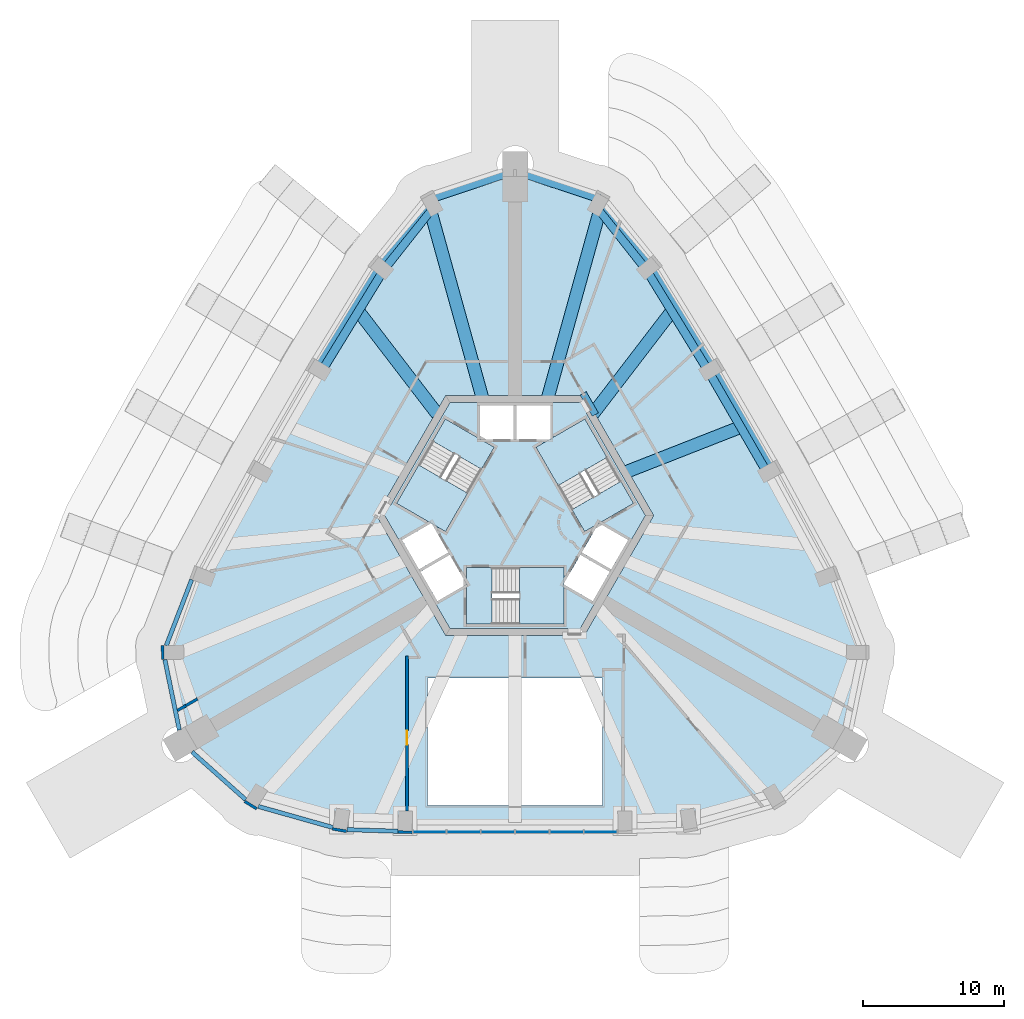
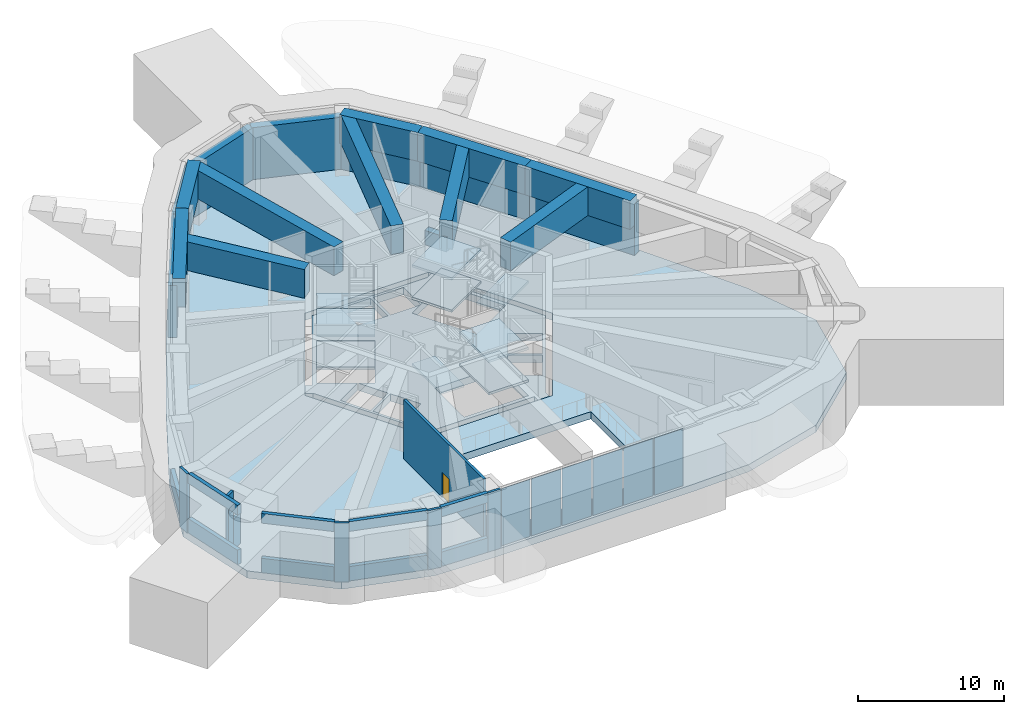
# One storey, part 3 of 15: 16 walls, 11 beams, 11 slabs, 7 members, 6 plates, 1 door, 1 opening, 4 elements without a shape of their own.
"""IFC4 building model written with IfcOpenShell, lengths in metres."""

from ifc_helpers import new_model, si_unit, direction, frame, frame_2d, origin, origin_2d, place, context, subcontext, project, spatial, polyline, rectangle, outline, extrude, material, layer, layer_set, material_profile, profile_set, type_object, element, fill, aggregate, save


model = new_model("IFC4")

# Units and contexts
model_context = context("Model", 3, precision=1e-05, world=origin(), true_north=direction((0.0, 1.0)))
body_context = subcontext(model_context, "Body", "Model", "MODEL_VIEW")
ifc_project = project(units=[si_unit("LENGTHUNIT", "METRE"), si_unit("AREAUNIT", "SQUARE_METRE"), si_unit("VOLUMEUNIT", "CUBIC_METRE"), si_unit("PLANEANGLEUNIT", "RADIAN"), si_unit("MASSUNIT", "GRAM", prefix="KILO")], contexts=[model_context])

# Site, building, storey
site_placement = place(None, origin())
site = spatial("IfcSite", under=ifc_project, at=site_placement, CompositionType="ELEMENT")
building_placement = place(site_placement, origin())
building = spatial("IfcBuilding", under=site, at=building_placement, Name="Entoto Arch Interchange Tower", CompositionType="ELEMENT")
storey_placement = place(building_placement, frame((0.0, 0.0, 326.0)))
storey = spatial("IfcBuildingStorey", under=building, at=storey_placement, Name="L77", CompositionType="ELEMENT", Elevation=326.0)

# Members
ifc_material_1 = material(Name="Concrete C40/50", Category="concrete")
ifc_material_profile_1 = material_profile(ifc_material_1, rectangle(XDim=0.60009765625, YDim=4.35009765625, at=origin_2d()))
ifc_profile_set_1 = profile_set([ifc_material_profile_1], Name="Concrete C40/50")
member_type = type_object("IfcMemberType", Name="Belt member RC 600x4350 C40/50", PredefinedType="USERDEFINED", material=ifc_profile_set_1)
member_1_placement = place(storey_placement, frame((18.39208984375, 5.799072265625, 2.175048828125), z_axis=(-0.500036379844, 0.866004398853, 0.0), x_axis=(-0.866004398853, -0.500036379844, 0.0)))
element("IfcMember", 1, at=member_1_placement, inside=storey, type_object=member_type, Name="Belt beam 09 L77", ObjectType="BELT BEAM", PredefinedType="USERDEFINED", context=body_context, shape_type="SweptSolid", body=[
    extrude(rectangle(XDim=0.60009765625, YDim=4.35009765625, at=origin_2d()), origin(), (0.0, 0.0, 1.0), 8.34765625),
])
member_2_placement = place(storey_placement, frame((14.218017578125, 13.028076171875, 2.175048828125), z_axis=(-0.522842119471, 0.8524295385, 0.0), x_axis=(-0.8524295385, -0.522842119471, 0.0)))
element("IfcMember", 2, at=member_2_placement, inside=storey, type_object=member_type, Name="Belt beam 10 L77", ObjectType="BELT BEAM", PredefinedType="USERDEFINED", context=body_context, shape_type="SweptSolid", body=[
    extrude(rectangle(XDim=0.60009765625, YDim=4.35009765625, at=origin_2d()), origin(), (0.0, 0.0, 1.0), 8.543701171875),
])
member_3_placement = place(storey_placement, frame((9.7509765625, 20.31103515625, 2.175048828125), z_axis=(-0.628207001086, 0.778046247845, 0.0), x_axis=(-0.778046247845, -0.628207001086, 0.0)))
element("IfcMember", 3, at=member_3_placement, inside=storey, type_object=member_type, Name="Belt beam 11 L77", ObjectType="BELT BEAM", PredefinedType="USERDEFINED", context=body_context, shape_type="SweptSolid", body=[
    extrude(rectangle(XDim=0.60009765625, YDim=4.35009765625, at=origin_2d()), origin(), (0.0, 0.0, 1.0), 5.940673828125),
])
for number, where, z_axis, x_axis, name in (
    (4, (6.01904296875, 24.93310546875, 2.175048828125), (-0.948983108489, 0.315326909416, 0.0), (-0.315326909416, -0.948983108489, 0.0), "Belt beam 12 L77"),
    (5, (0.0, 26.93310546875, 2.175048828125), (-0.948983108489, -0.315326909416, 0.0), (0.315326909416, -0.948983108489, 0.0), "Belt beam 13 L77"),
):
    element("IfcMember", number, at=place(storey_placement, frame(where, z_axis=z_axis, x_axis=x_axis)), inside=storey, type_object=member_type, Name=name, ObjectType="BELT BEAM", PredefinedType="USERDEFINED", context=body_context, shape_type="SweptSolid", body=[
        extrude(rectangle(XDim=0.60009765625, YDim=4.35009765625, at=origin_2d()), origin(), (0.0, 0.0, 1.0), 6.342529296875),
    ])
member_4_placement = place(storey_placement, frame((-6.01904296875, 24.93310546875, 2.175048828125), z_axis=(-0.628207001086, -0.778046247845, 0.0), x_axis=(0.778046247845, -0.628207001086, 0.0)))
element("IfcMember", 6, at=member_4_placement, inside=storey, type_object=member_type, Name="Belt beam 14 L77", ObjectType="BELT BEAM", PredefinedType="USERDEFINED", context=body_context, shape_type="SweptSolid", body=[
    extrude(rectangle(XDim=0.60009765625, YDim=4.35009765625, at=origin_2d()), origin(), (0.0, 0.0, 1.0), 5.940673828125),
])
member_5_placement = place(storey_placement, frame((-9.7509765625, 20.31103515625, 2.175048828125), z_axis=(-0.522842119471, -0.8524295385, 0.0), x_axis=(0.8524295385, -0.522842119471, 0.0)))
element("IfcMember", 7, at=member_5_placement, inside=storey, type_object=member_type, Name="Belt beam 15 L77", ObjectType="BELT BEAM", PredefinedType="USERDEFINED", context=body_context, shape_type="SweptSolid", body=[
    extrude(rectangle(XDim=0.60009765625, YDim=4.35009765625, at=origin_2d()), origin(), (0.0, 0.0, 1.0), 8.543701171875),
])

# Beams
ifc_material_profile_2 = material_profile(ifc_material_1, rectangle(XDim=0.5, YDim=1.199951171875, at=origin_2d()))
ifc_profile_set_2 = profile_set([ifc_material_profile_2], Name="Concrete C40/50")
beam_type_1 = type_object("IfcBeamType", Name="Coupling beam RC 500x1200 C40/50", PredefinedType="BEAM", material=ifc_profile_set_2)
beam_1_placement = place(storey_placement, frame((5.68603515625, 9.65087890625, 3.0), z_axis=(-0.500105721196, 0.865964357019, 0.0), x_axis=(-0.865964357019, -0.500105721196, 0.0)))
element("IfcBeam", 8, at=beam_1_placement, inside=storey, type_object=beam_type_1, Name="Coupling beam NE L77", PredefinedType="BEAM", context=body_context, shape_type="SweptSolid", body=[
    extrude(rectangle(XDim=0.5, YDim=1.199951171875, at=origin_2d()), origin(), (0.0, 0.0, 1.0), 1.727783203125),
])
ifc_material_profile_3 = material_profile(ifc_material_1, rectangle(XDim=0.89990234375, YDim=2.39990234375, at=origin_2d()))
ifc_profile_set_3 = profile_set([ifc_material_profile_3], Name="Concrete C40/50")
beam_type_2 = type_object("IfcBeamType", Name="Transfer beam RC 900x2400 C40/50", PredefinedType="BEAM", material=ifc_profile_set_3)
beam_2_placement = place(storey_placement, frame((7.863037109375, 5.5849609375, 3.75), z_axis=(0.930937686272, 0.365178072013, 0.0), x_axis=(-0.365178072013, 0.930937686272, 0.0)))
element("IfcBeam", 9, at=beam_2_placement, inside=storey, type_object=beam_type_2, Name="Transfer beam NE03 L77", PredefinedType="BEAM", context=body_context, shape_type="SweptSolid", body=[
    extrude(rectangle(XDim=0.89990234375, YDim=2.39990234375, at=origin_2d()), origin(), (0.0, 0.0, 1.0), 8.56884765625),
])
beam_3_placement = place(storey_placement, frame((17.992919921875, 5.5791015625, 3.75), z_axis=(-0.500009985057, 0.866019638832, 0.0), x_axis=(-0.866019638832, -0.500009985057, 0.0)))
element("IfcBeam", 10, at=beam_3_placement, inside=storey, type_object=beam_type_2, Name="Transfer girder NE03 L77", PredefinedType="BEAM", context=body_context, shape_type="SweptSolid", body=[
    extrude(rectangle(XDim=0.89990234375, YDim=2.39990234375, at=origin_2d()), origin(), (0.0, 0.0, 1.0), 8.329833984375),
])
beam_4_placement = place(storey_placement, frame((5.507080078125, 9.68408203125, 3.75), z_axis=(0.608418509946, 0.793616353634, 0.0), x_axis=(-0.793616353634, 0.608418509946, 0.0)))
element("IfcBeam", 11, at=beam_4_placement, inside=storey, type_object=beam_type_2, Name="Transfer beam NE04 L77", PredefinedType="BEAM", context=body_context, shape_type="SweptSolid", body=[
    extrude(rectangle(XDim=0.89990234375, YDim=2.39990234375, at=origin_2d()), origin(), (0.0, 0.0, 1.0), 9.044677734375),
])
beam_5_placement = place(storey_placement, frame((13.827880859375, 12.79296875, 3.75), z_axis=(-0.521971462852, 0.852962948766, 0.0), x_axis=(-0.852962948766, -0.521971462852, 0.0)))
element("IfcBeam", 12, at=beam_5_placement, inside=storey, type_object=beam_type_2, Name="Transfer girder NE04 L77", PredefinedType="BEAM", context=body_context, shape_type="SweptSolid", body=[
    extrude(rectangle(XDim=0.89990234375, YDim=2.39990234375, at=origin_2d()), origin(), (0.0, 0.0, 1.0), 8.44482421875),
])
beam_6_placement = place(storey_placement, frame((2.321044921875, 10.85498046875, 3.75), z_axis=(0.267605981457, 0.963528431697, 0.0), x_axis=(-0.963528431697, 0.267605981457, 0.0)))
element("IfcBeam", 13, at=beam_6_placement, inside=storey, type_object=beam_type_2, Name="Transfer beam NE05 L77", PredefinedType="BEAM", context=body_context, shape_type="SweptSolid", body=[
    extrude(rectangle(XDim=0.89990234375, YDim=2.39990234375, at=origin_2d()), origin(), (0.0, 0.0, 1.0), 13.628173828125),
])
beam_7_placement = place(storey_placement, frame((9.419921875, 19.99609375, 3.75), z_axis=(-0.618924486717, 0.785450494775, 0.0), x_axis=(-0.785450494775, -0.618924486717, 0.0)))
element("IfcBeam", 14, at=beam_7_placement, inside=storey, type_object=beam_type_2, Name="Transfer girder NE05 L77", PredefinedType="BEAM", context=body_context, shape_type="SweptSolid", body=[
    extrude(rectangle(XDim=0.89990234375, YDim=2.39990234375, at=origin_2d()), origin(), (0.0, 0.0, 1.0), 5.7646484375),
])
beam_8_placement = place(storey_placement, frame((-2.321044921875, 10.85498046875, 3.75), z_axis=(-0.267605981457, 0.963528431697, 0.0), x_axis=(-0.963528431697, -0.267605981457, 0.0)))
element("IfcBeam", 15, at=beam_8_placement, inside=storey, type_object=beam_type_2, Name="Transfer beam NW01 L77", PredefinedType="BEAM", context=body_context, shape_type="SweptSolid", body=[
    extrude(rectangle(XDim=0.89990234375, YDim=2.39990234375, at=origin_2d()), origin(), (0.0, 0.0, 1.0), 13.628173828125),
])
beam_9_placement = place(storey_placement, frame((-5.85205078125, 24.52392578125, 3.75), z_axis=(-0.618924486717, -0.785450494775, 0.0), x_axis=(0.785450494775, -0.618924486717, 0.0)))
element("IfcBeam", 16, at=beam_9_placement, inside=storey, type_object=beam_type_2, Name="Transfer girder NW01 L77", PredefinedType="BEAM", context=body_context, shape_type="SweptSolid", body=[
    extrude(rectangle(XDim=0.89990234375, YDim=2.39990234375, at=origin_2d()), origin(), (0.0, 0.0, 1.0), 5.7646484375),
])
beam_10_placement = place(storey_placement, frame((-5.507080078125, 9.68408203125, 3.75), z_axis=(-0.608418509946, 0.793616353634, 0.0), x_axis=(-0.793616353634, -0.608418509946, 0.0)))
element("IfcBeam", 17, at=beam_10_placement, inside=storey, type_object=beam_type_2, Name="Transfer beam NW02 L77", PredefinedType="BEAM", context=body_context, shape_type="SweptSolid", body=[
    extrude(rectangle(XDim=0.89990234375, YDim=2.39990234375, at=origin_2d()), origin(), (0.0, 0.0, 1.0), 9.044677734375),
])
beam_11_placement = place(storey_placement, frame((-9.419921875, 19.99609375, 3.75), z_axis=(-0.521971462852, -0.852962948766, 0.0), x_axis=(0.852962948766, -0.521971462852, 0.0)))
element("IfcBeam", 18, at=beam_11_placement, inside=storey, type_object=beam_type_2, Name="Transfer girder NW02 L77", PredefinedType="BEAM", context=body_context, shape_type="SweptSolid", body=[
    extrude(rectangle(XDim=0.89990234375, YDim=2.39990234375, at=origin_2d()), origin(), (0.0, 0.0, 1.0), 8.44482421875),
])

# Slab
ifc_layer_1 = layer(ifc_material_1, 0.60009765625)
ifc_layer_set_1 = layer_set([ifc_layer_1], Name="Concrete C40/50")
slab_type_1 = type_object("IfcSlabType", Name="Core floor slab 600 C40/50", PredefinedType="FLOOR", material=ifc_layer_set_1)
slab_1_placement = place(storey_placement, frame((0.0, 0.0, -0.60009765625)))
element("IfcSlab", 19, at=slab_1_placement, inside=storey, type_object=slab_type_1, Name="Core floor slab L77", PredefinedType="FLOOR", context=body_context, shape_type="SweptSolid", body=[
    extrude(outline(polyline([(-9.208984375, 2.449951171875), (-9.222900390625, 2.425048828125), (-9.699951171875, 2.699951171875), (-9.236083984375, 3.501953125), (-8.802978515625, 3.2529296875), (-4.618896484375, 10.5), (4.56103515625, 10.5), (4.5458984375, 10.52490234375), (5.02197265625, 10.800048828125), (5.486083984375, 9.998046875), (5.052978515625, 9.748046875), (9.238037109375, 2.5), (4.64794921875, -5.449951171875), (4.676025390625, -5.449951171875), (4.676025390625, -6.0), (3.75, -6.0), (3.75, -5.5), (-4.618896484375, -5.5), (-9.208984375, 2.449951171875)]), holes=[polyline([(-1.64990234375, -5.199951171875), (3.449951171875, -5.199951171875), (3.449951171875, -2.3779296875), (5.5048828125, -3.56494140625), (6.705078125, -1.487060546875), (4.626953125, -0.287109375), (3.449951171875, -2.324951171875), (3.449951171875, -1.199951171875), (-1.64990234375, -1.199951171875), (-1.64990234375, -5.199951171875)]), polyline([(-4.626953125, -0.287109375), (-6.705078125, -1.487060546875), (-5.5048828125, -3.56494140625), (-3.427001953125, -2.364990234375), (-4.626953125, -0.287109375)]), polyline([(-5.904052734375, 1.925048828125), (-4.928955078125, 1.362060546875), (-2.37890625, 5.779052734375), (-5.843017578125, 7.779052734375), (-8.39306640625, 3.362060546875), (-5.949951171875, 1.951904296875), (-8.0048828125, 0.764892578125), (-6.804931640625, -1.31298828125), (-4.72705078125, -0.113037109375), (-5.904052734375, 1.925048828125)]), polyline([(4.72705078125, -0.113037109375), (6.804931640625, -1.31298828125), (8.0048828125, 0.764892578125), (5.927001953125, 1.965087890625), (4.72705078125, -0.113037109375)]), polyline([(2.5, 7.927001953125), (2.5, 10.300048828125), (0.10009765625, 10.300048828125), (0.10009765625, 7.89990234375), (2.452880859375, 7.89990234375), (1.47900390625, 7.337890625), (4.029052734375, 2.9208984375), (7.492919921875, 4.9208984375), (4.943115234375, 9.337890625), (2.5, 7.927001953125)]), polyline([(-2.5, 7.89990234375), (-0.10009765625, 7.89990234375), (-0.10009765625, 10.300048828125), (-2.5, 10.300048828125), (-2.5, 7.89990234375)])]), origin(), (0.0, 0.0, 1.0), 0.60009765625),
])

# Stair, slabs
stair_type = type_object("IfcStairType", Name="EXIT STAIR RC 1800", PredefinedType="HALF_TURN_STAIR", material=ifc_material_1)
stair_1_placement = place(storey_placement, origin())
stair_1 = element("IfcStair", 20, at=stair_1_placement, inside=storey, type_object=stair_type, Name="L77 Exit stair S", PredefinedType="HALF_TURN_STAIR")
ifc_layer_2 = layer(ifc_material_1, 0.199951171875)
ifc_layer_set_2 = layer_set([ifc_layer_2], Name="Concrete C40/50")
slab_type_2 = type_object("IfcSlabType", Name="EXIT STAIR LANDING RC 200", PredefinedType="LANDING", material=ifc_layer_set_2)
slab_2_placement = place(storey_placement, frame((0.0, 0.0, 1.14990234375)))
slab_2 = element("IfcSlab", 21, at=slab_2_placement, type_object=slab_type_2, Name="ST-S landing 1", PredefinedType="LANDING", context=body_context, shape_type="SweptSolid", body=[
    extrude(outline(polyline([(0.31005859375, -5.199951171875), (3.449951171875, -5.199951171875), (3.449951171875, -1.199951171875), (0.31005859375, -1.199951171875), (0.31005859375, -5.199951171875)])), origin(), (0.0, 0.0, 1.0), 0.2001953125),
])
slab_3_placement = place(storey_placement, frame((0.0, 0.0, 2.5)))
slab_3 = element("IfcSlab", 22, at=slab_3_placement, type_object=slab_type_2, Name="ST-S landing 2", PredefinedType="LANDING", context=body_context, shape_type="SweptSolid", body=[
    extrude(outline(polyline([(-3.449951171875, -5.199951171875), (-1.64990234375, -5.199951171875), (-1.64990234375, -1.199951171875), (-3.449951171875, -1.199951171875), (-3.449951171875, -5.199951171875)])), origin(), (0.0, 0.0, 1.0), 0.199951171875),
])
slab_4_placement = place(storey_placement, frame((0.0, 0.0, 3.85009765625)))
slab_4 = element("IfcSlab", 23, at=slab_4_placement, type_object=slab_type_2, Name="ST-S landing 3", PredefinedType="LANDING", context=body_context, shape_type="SweptSolid", body=[
    extrude(outline(polyline([(0.31005859375, -5.199951171875), (3.449951171875, -5.199951171875), (3.449951171875, -1.199951171875), (0.31005859375, -1.199951171875), (0.31005859375, -5.199951171875)])), origin(), (0.0, 0.0, 1.0), 0.199951171875),
])
aggregate(stair_1, [slab_2, slab_3, slab_4])

stair_2_placement = place(storey_placement, origin())
stair_2 = element("IfcStair", 24, at=stair_2_placement, inside=storey, type_object=stair_type, Name="L77 Exit stair NE", PredefinedType="HALF_TURN_STAIR")
slab_5_placement = place(storey_placement, frame((0.0, 0.0, 1.14990234375)))
slab_5 = element("IfcSlab", 25, at=slab_5_placement, type_object=slab_type_2, Name="ST-NE landing 1", PredefinedType="LANDING", context=body_context, shape_type="SweptSolid", body=[
    extrude(outline(polyline([(6.513427734375, 6.618408203125), (4.943359375, 9.337890625), (1.479248046875, 7.337890625), (3.04931640625, 4.618408203125), (6.513427734375, 6.618408203125)])), origin(), (0.0, 0.0, 1.0), 0.2001953125),
])
slab_6_placement = place(storey_placement, frame((0.0, 0.0, 2.5)))
slab_6 = element("IfcSlab", 26, at=slab_6_placement, type_object=slab_type_2, Name="ST-NE landing 2", PredefinedType="LANDING", context=body_context, shape_type="SweptSolid", body=[
    extrude(outline(polyline([(8.393310546875, 3.3623046875), (7.493408203125, 4.921142578125), (4.029296875, 2.921142578125), (4.92919921875, 1.3623046875), (8.393310546875, 3.3623046875)])), origin(), (0.0, 0.0, 1.0), 0.199951171875),
])
slab_7_placement = place(storey_placement, frame((0.0, 0.0, 3.85009765625)))
slab_7 = element("IfcSlab", 27, at=slab_7_placement, type_object=slab_type_2, Name="ST-NE landing 3", PredefinedType="LANDING", context=body_context, shape_type="SweptSolid", body=[
    extrude(outline(polyline([(6.513427734375, 6.618408203125), (4.943359375, 9.337890625), (1.479248046875, 7.337890625), (3.04931640625, 4.618408203125), (6.513427734375, 6.618408203125)])), origin(), (0.0, 0.0, 1.0), 0.199951171875),
])
aggregate(stair_2, [slab_5, slab_6, slab_7])

stair_3_placement = place(storey_placement, origin())
stair_3 = element("IfcStair", 28, at=stair_3_placement, inside=storey, type_object=stair_type, Name="L77 Exit stair NW", PredefinedType="HALF_TURN_STAIR")
slab_8_placement = place(storey_placement, frame((0.0, 0.0, 1.14990234375)))
slab_8 = element("IfcSlab", 29, at=slab_8_placement, type_object=slab_type_2, Name="ST-NW landing 1", PredefinedType="LANDING", context=body_context, shape_type="SweptSolid", body=[
    extrude(outline(polyline([(-6.823486328125, 6.08154296875), (-8.393310546875, 3.3623046875), (-4.92919921875, 1.3623046875), (-3.359375, 4.08154296875), (-6.823486328125, 6.08154296875)])), origin(), (0.0, 0.0, 1.0), 0.2001953125),
])
slab_9_placement = place(storey_placement, frame((0.0, 0.0, 2.5)))
slab_9 = element("IfcSlab", 30, at=slab_9_placement, type_object=slab_type_2, Name="ST-NW landing 2", PredefinedType="LANDING", context=body_context, shape_type="SweptSolid", body=[
    extrude(outline(polyline([(-4.943359375, 9.337890625), (-5.843505859375, 7.779052734375), (-2.37939453125, 5.779052734375), (-1.479248046875, 7.337890625), (-4.943359375, 9.337890625)])), origin(), (0.0, 0.0, 1.0), 0.199951171875),
])
slab_10_placement = place(storey_placement, frame((0.0, 0.0, 3.85009765625)))
slab_10 = element("IfcSlab", 31, at=slab_10_placement, type_object=slab_type_2, Name="ST-NW landing 3", PredefinedType="LANDING", context=body_context, shape_type="SweptSolid", body=[
    extrude(outline(polyline([(-6.823486328125, 6.08154296875), (-8.393310546875, 3.3623046875), (-4.92919921875, 1.3623046875), (-3.359375, 4.08154296875), (-6.823486328125, 6.08154296875)])), origin(), (0.0, 0.0, 1.0), 0.199951171875),
])
aggregate(stair_3, [slab_8, slab_9, slab_10])

# Curtain wall, plates
ifc_material_2 = material(Name="Aluminium, anodised", Category="aluminium")
curtain_wall_type = type_object("IfcCurtainWallType", Name="CURTAIN WALL ATRIUM", PredefinedType="NOTDEFINED", material=ifc_material_2)
curtain_wall_placement = place(storey_placement, origin())
curtain_wall = element("IfcCurtainWall", 32, at=curtain_wall_placement, inside=storey, type_object=curtain_wall_type, Name="Atrium glazing S-02 L77", PredefinedType="NOTDEFINED")
ifc_material_3 = material(Name="Clear glass, low-e double glazed", Category="glass")
ifc_layer_3 = layer(ifc_material_3, 0.031982421875)
ifc_layer_set_3 = layer_set([ifc_layer_3], Name="Clear glass, low-e double glazed")
plate_type = type_object("IfcPlateType", Name="GLAZING PANEL ATRIUM 32", PredefinedType="CURTAIN_PANEL", material=ifc_layer_set_3)
plate_1_placement = place(storey_placement, frame((-6.056640625, -19.908935546875, 0.080078125), z_axis=(0.0, 0.0, 1.0), x_axis=(1.0, 0.0, 0.0)))
plate_1 = element("IfcPlate", 33, at=plate_1_placement, type_object=plate_type, Name="CWA panel 1.1", PredefinedType="CURTAIN_PANEL", context=body_context, shape_type="SweptSolid", body=[
    extrude(rectangle(XDim=2.28271484375, YDim=0.031982421875, at=origin_2d()), origin(), (0.0, 0.0, 1.0), 4.7900390625),
])
plate_2_placement = place(storey_placement, frame((-3.64892578125, -19.908935546875, 0.080078125), z_axis=(0.0, 0.0, 1.0), x_axis=(1.0, 0.0, 0.0)))
plate_2 = element("IfcPlate", 34, at=plate_2_placement, type_object=plate_type, Name="CWA panel 2.1", PredefinedType="CURTAIN_PANEL", context=body_context, shape_type="SweptSolid", body=[
    extrude(rectangle(XDim=2.332763671875, YDim=0.031982421875, at=origin_2d()), origin(), (0.0, 0.0, 1.0), 4.7900390625),
])
plate_3_placement = place(storey_placement, frame((-1.21630859375, -19.908935546875, 0.080078125), z_axis=(0.0, 0.0, 1.0), x_axis=(1.0, 0.0, 0.0)))
plate_3 = element("IfcPlate", 35, at=plate_3_placement, type_object=plate_type, Name="CWA panel 3.1", PredefinedType="CURTAIN_PANEL", context=body_context, shape_type="SweptSolid", body=[
    extrude(rectangle(XDim=2.332763671875, YDim=0.031982421875, at=origin_2d()), origin(), (0.0, 0.0, 1.0), 4.7900390625),
])
plate_4_placement = place(storey_placement, frame((1.21630859375, -19.908935546875, 0.080078125), z_axis=(0.0, 0.0, 1.0), x_axis=(1.0, 0.0, 0.0)))
plate_4 = element("IfcPlate", 36, at=plate_4_placement, type_object=plate_type, Name="CWA panel 4.1", PredefinedType="CURTAIN_PANEL", context=body_context, shape_type="SweptSolid", body=[
    extrude(rectangle(XDim=2.332763671875, YDim=0.031982421875, at=origin_2d()), origin(), (0.0, 0.0, 1.0), 4.7900390625),
])
plate_5_placement = place(storey_placement, frame((3.64892578125, -19.908935546875, 0.080078125), z_axis=(0.0, 0.0, 1.0), x_axis=(1.0, 0.0, 0.0)))
plate_5 = element("IfcPlate", 37, at=plate_5_placement, type_object=plate_type, Name="CWA panel 5.1", PredefinedType="CURTAIN_PANEL", context=body_context, shape_type="SweptSolid", body=[
    extrude(rectangle(XDim=2.332763671875, YDim=0.031982421875, at=origin_2d()), origin(), (0.0, 0.0, 1.0), 4.7900390625),
])
plate_6_placement = place(storey_placement, frame((6.056640625, -19.908935546875, 0.080078125), z_axis=(0.0, 0.0, 1.0), x_axis=(1.0, 0.0, 0.0)))
plate_6 = element("IfcPlate", 38, at=plate_6_placement, type_object=plate_type, Name="CWA panel 6.1", PredefinedType="CURTAIN_PANEL", context=body_context, shape_type="SweptSolid", body=[
    extrude(rectangle(XDim=2.28271484375, YDim=0.031982421875, at=origin_2d()), origin(), (0.0, 0.0, 1.0), 4.7900390625),
])
aggregate(curtain_wall, [plate_1, plate_2, plate_3, plate_4, plate_5, plate_6])

# Slab
ifc_layer_4 = layer(ifc_material_1, 0.60009765625)
ifc_layer_set_4 = layer_set([ifc_layer_4], Name="Concrete C40/50")
slab_type_3 = type_object("IfcSlabType", Name="Transfer floor slab post-tensioned 600 C40/50", PredefinedType="FLOOR", material=ifc_layer_set_4)
slab_11_placement = place(storey_placement, frame((0.0, 0.0, -0.60009765625)))
element("IfcSlab", 39, at=slab_11_placement, inside=storey, type_object=slab_type_3, Name="Floor slab L77", PredefinedType="FLOOR", context=body_context, shape_type="SweptSolid", body=[
    extrude(outline(polyline([(-12.447998046875, -19.885986328125), (-7.800048828125, -20.033935546875), (7.800048828125, -20.033935546875), (12.447998046875, -19.885986328125), (18.781982421875, -18.097900390625), (23.73095703125, -13.700927734375), (25.06396484375, -7.216064453125), (22.8701171875, -1.52490234375), (18.780029296875, 6.01611328125), (14.60009765625, 13.256103515625), (10.114990234375, 20.568115234375), (6.282958984375, 25.31396484375), (0.0, 27.402099609375), (-6.282958984375, 25.31396484375), (-10.114990234375, 20.568115234375), (-14.60009765625, 13.256103515625), (-18.780029296875, 6.01611328125), (-22.8701171875, -1.52490234375), (-25.06396484375, -7.216064453125), (-23.73095703125, -13.700927734375), (-18.781982421875, -18.097900390625), (-12.447998046875, -19.885986328125)]), holes=[polyline([(6.199951171875, -18.033935546875), (6.199951171875, -9.0), (-6.199951171875, -9.0), (-6.199951171875, -18.033935546875), (6.199951171875, -18.033935546875)]), polyline([(9.81494140625, 2.5), (4.906982421875, 11.0), (-4.906982421875, 11.0), (-9.81494140625, 2.5), (-4.906982421875, -6.0), (4.906982421875, -6.0), (9.81494140625, 2.5)])]), origin(), (0.0, 0.0, 1.0), 0.60009765625),
])

# Wall, opening, door
ifc_material_4 = material(Name="Gypsum board partition on steel studs", Category="steel")
ifc_layer_5 = layer(ifc_material_4, 0.199951171875)
ifc_layer_set_5 = layer_set([ifc_layer_5], Name="Gypsum board partition on steel studs")
wall_type_1 = type_object("IfcWallType", Name="PARTITION 200", PredefinedType="PARTITIONING", material=ifc_layer_set_5)
wall_1_placement = place(storey_placement, frame((-7.64990234375, -18.416015625, 0.0), z_axis=(0.0, 0.0, 1.0), x_axis=(0.0, 1.0, 0.0)))
wall_1 = element("IfcWall", 40, at=wall_1_placement, inside=storey, type_object=wall_type_1, Name="wall:L77:p020", PredefinedType="PARTITIONING", context=body_context, shape_type="SweptSolid", body=[
    extrude(rectangle(XDim=10.966064453125, YDim=0.199951171875, at=frame_2d((5.48291015625, 0.0))), origin(), (0.0, 0.0, 1.0), 4.949951171875),
])
opening_placement = place(wall_1_placement, frame((4.68310546875, 0.0, 0.0)))
opening = element("IfcOpeningElement", 41, at=opening_placement, cuts=wall_1, Name="Opening L77-D03", PredefinedType="OPENING", context=body_context, shape_type="SweptSolid", body=[
    extrude(rectangle(XDim=1.0, YDim=2.10009765625, at=frame_2d((0.5, 1.050048828125))), frame((0.0, 0.10986328125, 0.0), z_axis=(0.0, -1.0, 0.0), x_axis=(1.0, 0.0, 0.0)), (0.0, 0.0, 1.0), 0.219970703125),
])
ifc_material_5 = material(Name="Fire-rated Steel S235 door and frame", Category="steel")
door_type = type_object("IfcDoorType", Name="DOOR FD-10 1000x2100", OperationType="SINGLE_SWING_LEFT", PredefinedType="DOOR", material=ifc_material_5)
door_placement = place(opening_placement, origin())
door = element("IfcDoor", 42, at=door_placement, inside=storey, type_object=door_type, Name="door:L77:03", OperationType="SINGLE_SWING_RIGHT", OverallHeight=2.10009765625, OverallWidth=1.0, PredefinedType="DOOR", context=body_context, shape_type="SweptSolid", body=[
    extrude(rectangle(XDim=1.0, YDim=2.10009765625, at=frame_2d((0.5, 1.050048828125))), frame((0.0, 0.02490234375, 0.0), z_axis=(0.0, -1.0, 0.0), x_axis=(1.0, 0.0, 0.0)), (0.0, 0.0, 1.0), 0.050048828125),
])
fill(opening, door)

# Walls
wall_2_placement = place(storey_placement, frame((-23.916015625, -11.30810546875, 0.0), z_axis=(0.0, 0.0, 1.0), x_axis=(0.866333505267, 0.499465972466, 0.0)))
element("IfcWall", 43, at=wall_2_placement, inside=storey, type_object=wall_type_1, Name="wall:L77:p024", PredefinedType="PARTITIONING", context=body_context, shape_type="SweptSolid", body=[
    extrude(rectangle(XDim=0.686767578125, YDim=0.199951171875, at=frame_2d((0.34326171875, 0.0))), origin(), (0.0, 0.0, 1.0), 4.949951171875),
])
wall_3_placement = place(storey_placement, frame((-23.321044921875, -10.965087890625, 0.0), z_axis=(0.0, 0.0, 1.0), x_axis=(0.865865073245, 0.500277597875, 0.0)))
element("IfcWall", 44, at=wall_3_placement, inside=storey, type_object=wall_type_1, Name="wall:L77:p024", PredefinedType="PARTITIONING", context=body_context, shape_type="SweptSolid", body=[
    extrude(rectangle(XDim=0.95166015625, YDim=0.199951171875, at=frame_2d((0.475830078125, 0.0))), origin(), (0.0, 0.0, 1.0), 2.550048828125),
])
ifc_material_6 = material(Name="Board-marked precast concrete C50/60", Category="concrete")
ifc_layer_6 = layer(ifc_material_6, 0.199951171875)
ifc_layer_set_6 = layer_set([ifc_layer_6], Name="Board-marked precast concrete C50/60")
wall_type_2 = type_object("IfcWallType", Name="PRECAST FRAME WALL 200", PredefinedType="STANDARD", material=ifc_layer_set_6)
for number, where, z_axis, x_axis, name in (
    (45, (-12.924072265625, -19.702880859375, 0.0), (0.0, 0.0, 1.0), (0.985760116403, -0.168157643031, 0.0), "Frame pier S01 L77"),
    (46, (-8.298095703125, -19.924072265625, 0.0), (0.0, 0.0, 1.0), (0.999799669399, -0.020015520725, 0.0), "Frame pier S02 L77"),
):
    element("IfcWall", number, at=place(storey_placement, frame(where, z_axis=z_axis, x_axis=x_axis)), inside=storey, type_object=wall_type_2, Name=name, PredefinedType="STANDARD", context=body_context, shape_type="SweptSolid", body=[
        extrude(rectangle(XDim=1.000244140625, YDim=0.199951171875, at=frame_2d((0.5, 0.0))), origin(), (0.0, 0.0, 1.0), 4.949951171875),
    ])
wall_4_placement = place(storey_placement, frame((-24.97607421875, -6.714111328125, 0.0), z_axis=(0.0, 0.0, 1.0), x_axis=(0.024192379573, -0.999707321555, 0.0)))
element("IfcWall", 47, at=wall_4_placement, inside=storey, type_object=wall_type_2, Name="Frame pier SW1 L77", PredefinedType="STANDARD", context=body_context, shape_type="SweptSolid", body=[
    extrude(rectangle(XDim=0.9990234375, YDim=0.199951171875, at=frame_2d((0.49951171875, 0.0))), origin(), (0.0, 0.0, 1.0), 4.949951171875),
])
wall_5_placement = place(storey_placement, frame((-19.156982421875, -17.751953125, 0.0), z_axis=(0.0, 0.0, 1.0), x_axis=(0.853679739553, -0.520798331677, 0.0)))
element("IfcWall", 48, at=wall_5_placement, inside=storey, type_object=wall_type_2, Name="Frame pier SW3 L77", PredefinedType="STANDARD", context=body_context, shape_type="SweptSolid", body=[
    extrude(rectangle(XDim=1.00048828125, YDim=0.199951171875, at=frame_2d((0.500244140625, 0.0))), origin(), (0.0, 0.0, 1.0), 4.949951171875),
])
ifc_layer_7 = layer(ifc_material_6, 0.300048828125)
ifc_layer_set_7 = layer_set([ifc_layer_7], Name="Board-marked precast concrete C50/60")
wall_type_3 = type_object("IfcWallType", Name="PRECAST FRAME WALL 300", PredefinedType="STANDARD", material=ifc_layer_set_7)
wall_6_placement = place(storey_placement, frame((-11.9189453125, -19.7529296875, 0.0), z_axis=(0.0, 0.0, 1.0), x_axis=(0.9994967126, -0.031722570865, 0.0)))
element("IfcWall", 49, at=wall_6_placement, inside=storey, type_object=wall_type_3, Name="Frame sill wall S-01 L77", PredefinedType="STANDARD", context=body_context, shape_type="SweptSolid", body=[
    extrude(rectangle(XDim=3.624755859375, YDim=0.300048828125, at=frame_2d((1.8125, 0.0))), origin(), (0.0, 0.0, 1.0), 1.199951171875),
])
wall_7_placement = place(storey_placement, frame((-11.9189453125, -19.7529296875, 4.14990234375), z_axis=(0.0, 0.0, 1.0), x_axis=(0.9994967126, -0.031722570865, 0.0)))
element("IfcWall", 50, at=wall_7_placement, inside=storey, type_object=wall_type_3, Name="Frame head wall S-01 L77", PredefinedType="STANDARD", context=body_context, shape_type="SweptSolid", body=[
    extrude(rectangle(XDim=3.624755859375, YDim=0.300048828125, at=frame_2d((1.8125, 0.0))), origin(), (0.0, 0.0, 1.0), 0.800048828125),
])
wall_8_placement = place(storey_placement, frame((-22.908935546875, -2.04296875, 0.0), z_axis=(0.0, 0.0, 1.0), x_axis=(-0.35964980127, -0.933087359493, 0.0)))
element("IfcWall", 51, at=wall_8_placement, inside=storey, type_object=wall_type_3, Name="Frame sill wall SW-01 L77", PredefinedType="STANDARD", context=body_context, shape_type="SweptSolid", body=[
    extrude(rectangle(XDim=4.99951171875, YDim=0.300048828125, at=frame_2d((2.499755859375, 0.0))), origin(), (0.0, 0.0, 1.0), 1.199951171875),
])
wall_9_placement = place(storey_placement, frame((-24.81005859375, -7.708984375, 0.0), z_axis=(0.0, 0.0, 1.0), x_axis=(0.201426878117, -0.979503554242, 0.0)))
element("IfcWall", 52, at=wall_9_placement, inside=storey, type_object=wall_type_3, Name="Frame sill wall SW-02 L77", PredefinedType="STANDARD", context=body_context, shape_type="SweptSolid", body=[
    extrude(rectangle(XDim=5.08935546875, YDim=0.300048828125, at=frame_2d((2.544677734375, 0.0))), origin(), (0.0, 0.0, 1.0), 1.199951171875),
])
wall_10_placement = place(storey_placement, frame((-24.81005859375, -7.708984375, 4.14990234375), z_axis=(0.0, 0.0, 1.0), x_axis=(0.201426878117, -0.979503554242, 0.0)))
element("IfcWall", 53, at=wall_10_placement, inside=storey, type_object=wall_type_3, Name="Frame head wall SW-02 L77", PredefinedType="STANDARD", context=body_context, shape_type="SweptSolid", body=[
    extrude(rectangle(XDim=5.08935546875, YDim=0.300048828125, at=frame_2d((2.544677734375, 0.0))), origin(), (0.0, 0.0, 1.0), 0.800048828125),
])
wall_11_placement = place(storey_placement, frame((-22.885986328125, -14.2509765625, 0.0), z_axis=(0.0, 0.0, 1.0), x_axis=(0.74752312802, -0.664235781236, 0.0)))
element("IfcWall", 54, at=wall_11_placement, inside=storey, type_object=wall_type_3, Name="Frame sill wall SW-03 L77", PredefinedType="STANDARD", context=body_context, shape_type="SweptSolid", body=[
    extrude(rectangle(XDim=5.0888671875, YDim=0.300048828125, at=frame_2d((2.54443359375, 0.0))), origin(), (0.0, 0.0, 1.0), 1.199951171875),
])
wall_12_placement = place(storey_placement, frame((-22.885986328125, -14.2509765625, 4.14990234375), z_axis=(0.0, 0.0, 1.0), x_axis=(0.74752312802, -0.664235781236, 0.0)))
element("IfcWall", 55, at=wall_12_placement, inside=storey, type_object=wall_type_3, Name="Frame head wall SW-03 L77", PredefinedType="STANDARD", context=body_context, shape_type="SweptSolid", body=[
    extrude(rectangle(XDim=5.0888671875, YDim=0.300048828125, at=frame_2d((2.54443359375, 0.0))), origin(), (0.0, 0.0, 1.0), 0.800048828125),
])
wall_13_placement = place(storey_placement, frame((-18.201904296875, -18.10595703125, 0.0), z_axis=(0.0, 0.0, 1.0), x_axis=(0.962383071313, -0.271696198079, 0.0)))
element("IfcWall", 56, at=wall_13_placement, inside=storey, type_object=wall_type_3, Name="Frame sill wall SW-04 L77", PredefinedType="STANDARD", context=body_context, shape_type="SweptSolid", body=[
    extrude(rectangle(XDim=5.5029296875, YDim=0.300048828125, at=frame_2d((2.75146484375, 0.0))), origin(), (0.0, 0.0, 1.0), 1.199951171875),
])
wall_14_placement = place(storey_placement, frame((-18.201904296875, -18.10595703125, 4.14990234375), z_axis=(0.0, 0.0, 1.0), x_axis=(0.962383071313, -0.271696198079, 0.0)))
element("IfcWall", 57, at=wall_14_placement, inside=storey, type_object=wall_type_3, Name="Frame head wall SW-04 L77", PredefinedType="STANDARD", context=body_context, shape_type="SweptSolid", body=[
    extrude(rectangle(XDim=5.5029296875, YDim=0.300048828125, at=frame_2d((2.75146484375, 0.0))), origin(), (0.0, 0.0, 1.0), 0.800048828125),
])

save(model, "model.ifc")
